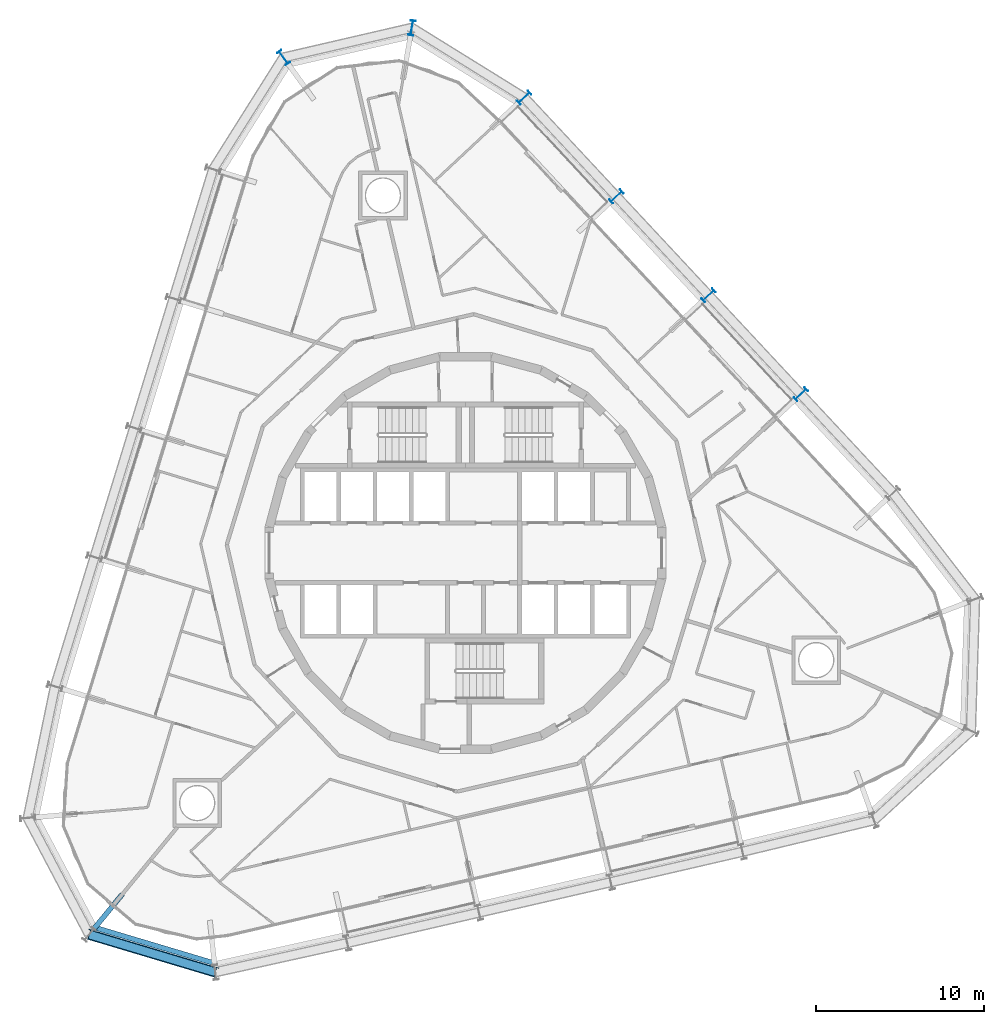
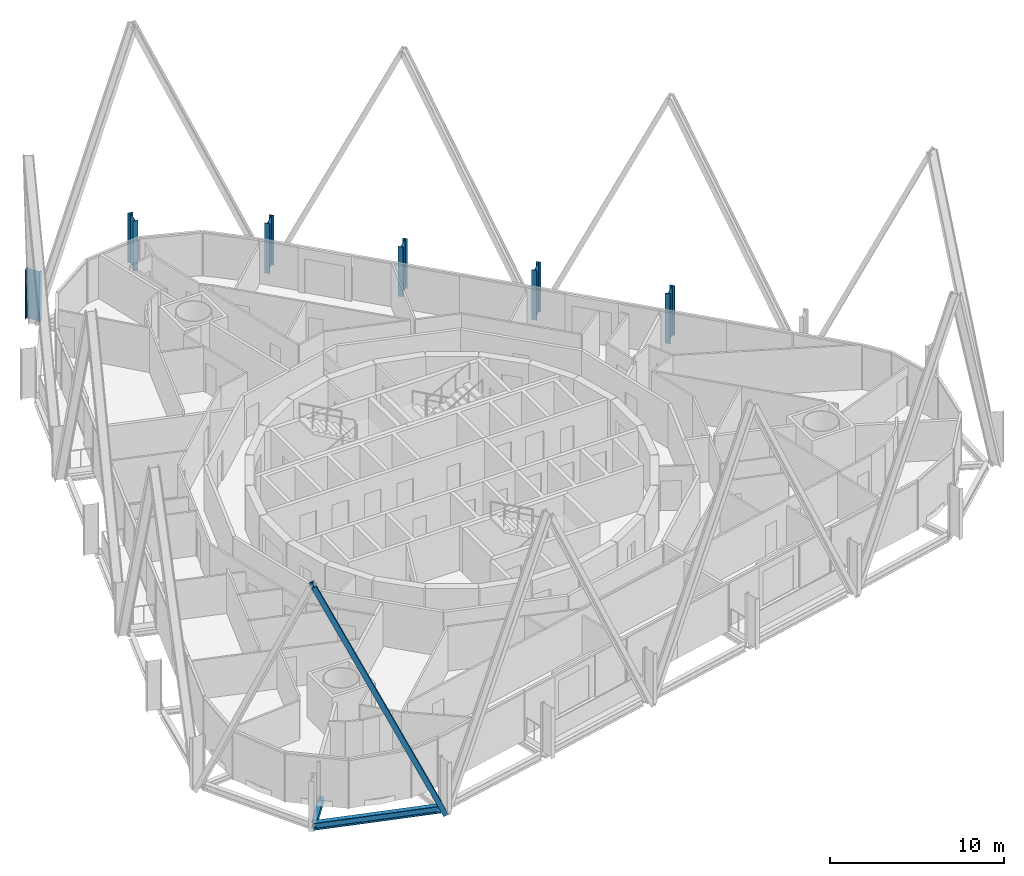
# One storey, part 2 of 18: 6 columns, 2 beams, 1 member.
"""IFC4 building model written with IfcOpenShell, lengths in metres."""

from ifc_helpers import new_model, si_unit, direction, frame, origin, origin_2d, place, context, subcontext, project, spatial, i_section, extrude, material, material_profile, profile_set, type_object, element, save


model = new_model("IFC4")

# Units and contexts
model_context = context("Model", 3, precision=1e-05, world=origin(), true_north=direction((0.0, 1.0)))
body_context = subcontext(model_context, "Body", "Model", "MODEL_VIEW")
ifc_project = project(units=[si_unit("LENGTHUNIT", "METRE"), si_unit("AREAUNIT", "SQUARE_METRE"), si_unit("VOLUMEUNIT", "CUBIC_METRE"), si_unit("PLANEANGLEUNIT", "RADIAN"), si_unit("MASSUNIT", "GRAM", prefix="KILO")], contexts=[model_context])

# Site, building, storey
site_placement = place(None, origin())
site = spatial("IfcSite", under=ifc_project, at=site_placement, CompositionType="ELEMENT")
building_placement = place(site_placement, origin())
building = spatial("IfcBuilding", under=site, at=building_placement, Name="Spindle Arch Residences", CompositionType="ELEMENT")
storey_placement = place(building_placement, frame((0.0, 0.0, 127.39990234375)))
storey = spatial("IfcBuildingStorey", under=building, at=storey_placement, Name="L31", CompositionType="ELEMENT", Elevation=127.39990234375)

# Columns
ifc_material_1 = material(Name="Steel S460ML, intumescent coating R 240", Category="steel")
ifc_material_profile_1 = material_profile(ifc_material_1, i_section(OverallWidth=0.300048828125, OverallDepth=0.89990234375, WebThickness=0.0185546875, FlangeThickness=0.034912109375, FilletRadius=0.030029296875, at=origin_2d()), Name="HEB 900")
ifc_profile_set_1 = profile_set([ifc_material_profile_1], Name="Steel S460ML, intumescent coating R 240")
column_type = type_object("IfcColumnType", Name="Exoskeleton post HEB 900", PredefinedType="COLUMN", material=ifc_profile_set_1)
for number, where, z_axis, x_axis, name in (
    (1, (19.9150390625, 9.42236328125, -0.3798828125), (0.0, 0.0, 1.0), (0.68199801865, -0.731354019992, 0.0), "Exoskeleton post 7"),
    (2, (14.439208984375, 15.29443359375, -0.3798828125), (0.0, 0.0, 1.0), (0.68199801865, -0.731354019992, 0.0), "Exoskeleton post 8"),
    (3, (8.963134765625, 21.16650390625, -0.3798828125), (0.0, 0.0, 1.0), (0.68199801865, -0.731354019992, 0.0), "Exoskeleton post 9"),
    (4, (3.4873046875, 27.038818359375, -0.3798828125), (0.0, 0.0, 1.0), (0.68199801865, -0.731354019992, 0.0), "Exoskeleton post 10"),
    (5, (-3.185302734375, 31.177001953125, -0.3798828125), (0.0, 0.0, 1.0), (0.985484585876, -0.169764928655, 0.0), "Exoskeleton post 11"),
    (6, (-10.80419921875, 29.41796875, -0.3798828125), (0.0, 0.0, 1.0), (0.811328097008, 0.584591069898, 0.0), "Exoskeleton post 12"),
):
    element("IfcColumn", number, at=place(storey_placement, frame(where, z_axis=z_axis, x_axis=x_axis)), inside=storey, type_object=column_type, Name=name, PredefinedType="COLUMN", context=body_context, shape_type="SweptSolid", body=[
        extrude(i_section(OverallWidth=0.300048828125, OverallDepth=0.89990234375, WebThickness=0.0185546875, FlangeThickness=0.034912109375, FilletRadius=0.030029296875, at=origin_2d()), origin(), (0.0, 0.0, 1.0), 3.5),
    ])

# Member
ifc_material_2 = material(Name="Steel S460ML, intumescent coating R 240", Category="steel")
ifc_material_profile_2 = material_profile(ifc_material_2, i_section(OverallWidth=0.304931640625, OverallDepth=0.6201171875, WebThickness=0.02099609375, FlangeThickness=0.0400390625, FilletRadius=0.027099609375, at=origin_2d()), Name="HEM 600")
ifc_profile_set_2 = profile_set([ifc_material_profile_2], Name="Steel S460ML, intumescent coating R 240")
member_type = type_object("IfcMemberType", Name="Diagrid diagonal HEM 600", PredefinedType="BRACE", material=ifc_profile_set_2)
member_placement = place(storey_placement, frame((-14.85009765625, -24.897216796875, -0.6298828125), z_axis=(-0.395148201056, 0.118062886323, 0.910998931984), x_axis=(0.872870961404, -0.26079750538, 0.412408712232)))
element("IfcMember", 7, at=member_placement, inside=storey, type_object=member_type, Name="Diagrid diagonal 3.2.19", PredefinedType="BRACE", context=body_context, shape_type="SweptSolid", body=[
    extrude(i_section(OverallWidth=0.304931640625, OverallDepth=0.6201171875, WebThickness=0.02099609375, FlangeThickness=0.0400390625, FilletRadius=0.027099609375, at=origin_2d()), origin(), (0.0, 0.0, 1.0), 18.96044921875),
])

# Beams
ifc_material_3 = material(Name="Steel S460ML, intumescent coating R 120", Category="steel")
ifc_material_profile_3 = material_profile(ifc_material_3, i_section(OverallWidth=0.300048828125, OverallDepth=0.5, WebThickness=0.014404296875, FlangeThickness=0.028076171875, FilletRadius=0.027099609375, at=origin_2d()), Name="HEB 500")
ifc_profile_set_3 = profile_set([ifc_material_profile_3], Name="Steel S460ML, intumescent coating R 120")
beam_type_1 = type_object("IfcBeamType", Name="Exoskeleton edge beam HEB 500", PredefinedType="BEAM", material=ifc_profile_set_3)
beam_1_placement = place(storey_placement, frame((-22.077392578125, -22.2265625, -0.6298828125), z_axis=(0.95815808572, -0.286239554865, 0.0), x_axis=(0.286239554865, 0.95815808572, 0.0)))
element("IfcBeam", 8, at=beam_1_placement, inside=storey, type_object=beam_type_1, Name="Exoskeleton edge beam 19", PredefinedType="BEAM", context=body_context, shape_type="SweptSolid", body=[
    extrude(i_section(OverallWidth=0.300048828125, OverallDepth=0.5, WebThickness=0.014404296875, FlangeThickness=0.028076171875, FilletRadius=0.027099609375, at=origin_2d()), origin(), (0.0, 0.0, 1.0), 7.5595703125),
])
ifc_material_4 = material(Name="Steel S460ML, intumescent coating R 120", Category="steel")
ifc_material_profile_4 = material_profile(ifc_material_4, i_section(OverallWidth=0.300048828125, OverallDepth=0.389892578125, WebThickness=0.010986328125, FlangeThickness=0.01904296875, FilletRadius=0.027099609375, at=origin_2d()), Name="HEA 400")
ifc_profile_set_4 = profile_set([ifc_material_profile_4], Name="Steel S460ML, intumescent coating R 120")
beam_type_2 = type_object("IfcBeamType", Name="Floor outrigger HEA 400", PredefinedType="BEAM", material=ifc_profile_set_4)
beam_2_placement = place(storey_placement, frame((-22.056396484375, -22.31103515625, -0.574951171875), z_axis=(0.634821942797, 0.772658463323, 0.0), x_axis=(-0.772658463323, 0.634821942797, 0.0)))
element("IfcBeam", 9, at=beam_2_placement, inside=storey, type_object=beam_type_2, Name="Floor outrigger 19", PredefinedType="BEAM", context=body_context, shape_type="SweptSolid", body=[
    extrude(i_section(OverallWidth=0.300048828125, OverallDepth=0.389892578125, WebThickness=0.010986328125, FlangeThickness=0.01904296875, FilletRadius=0.027099609375, at=origin_2d()), origin(), (0.0, 0.0, 1.0), 2.649658203125),
])

save(model, "model.ifc")
